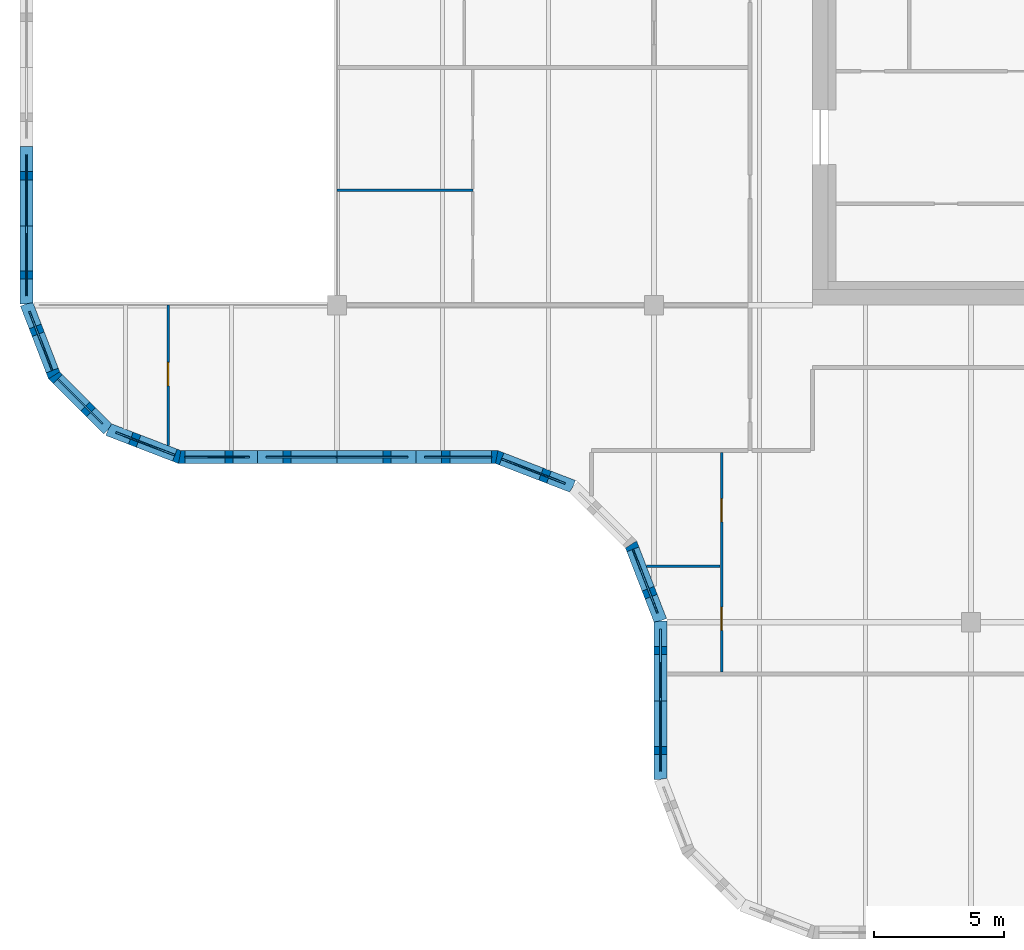
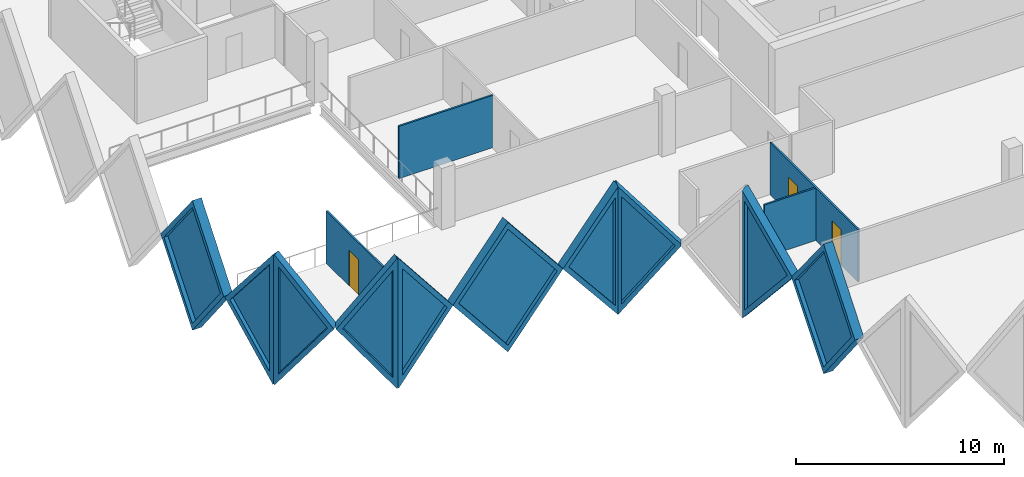
# One storey, part 3 of 12: 14 walls, 10 plates, 3 doors, 13 openings.
"""IFC4 building model written with IfcOpenShell, lengths in metres."""

from ifc_helpers import new_model, si_unit, direction, frame, frame_2d, origin, place, context, subcontext, project, spatial, polyline, rectangle, outline, extrude, faceted_brep, source, transform, mapped, material, layer, layer_set, type_object, element, fill, save


model = new_model("IFC4")

# Units and contexts
model_context = context("Model", 3, precision=1e-05, world=origin(), true_north=direction((0.0, 1.0)))
body_context = subcontext(model_context, "Body", "Model", "MODEL_VIEW")
ifc_project = project(units=[si_unit("LENGTHUNIT", "METRE"), si_unit("AREAUNIT", "SQUARE_METRE"), si_unit("VOLUMEUNIT", "CUBIC_METRE"), si_unit("PLANEANGLEUNIT", "RADIAN"), si_unit("MASSUNIT", "GRAM", prefix="KILO")], contexts=[model_context])

# Site, building, storey
site_placement = place(None, origin())
site = spatial("IfcSite", under=ifc_project, at=site_placement, CompositionType="ELEMENT")
building_placement = place(site_placement, origin())
building = spatial("IfcBuilding", under=site, at=building_placement, Name="Tessera Gate Towers", CompositionType="ELEMENT")
storey_placement = place(building_placement, frame((0.0, 0.0, 178.199951171875)))
storey = spatial("IfcBuildingStorey", under=building, at=storey_placement, Name="L44", CompositionType="ELEMENT", Elevation=178.199951171875)

# Wall, opening, door
ifc_material_1 = material(Name="Glass", Category="glass")
ifc_layer_1 = layer(ifc_material_1, 0.10009765625)
ifc_layer_set_1 = layer_set([ifc_layer_1], Name="GLAZED PARTITION 100")
wall_type_1 = type_object("IfcWallType", Name="GLAZED PARTITION 100", PredefinedType="PARTITIONING", material=ifc_layer_set_1)
wall_1_placement = place(storey_placement, frame((5.699951171875, 18.990234375, 0.0), z_axis=(0.0, 0.0, 1.0), x_axis=(0.0, 1.0, 0.0)))
wall_1 = element("IfcWall", 1, at=wall_1_placement, inside=storey, type_object=wall_type_1, Name="T1-L44-PW-019", PredefinedType="PARTITIONING", context=body_context, shape_type="SweptSolid", body=[
    extrude(rectangle(XDim=5.40966796875, YDim=0.10009765625, at=frame_2d((2.704833984375, 0.0))), origin(), (0.0, 0.0, 1.0), 3.067138671875),
])
shared_shape_1 = source(origin(), body_context, "Body", "SweptSolid", [
    extrude(rectangle(XDim=0.89990234375, YDim=2.10009765625, at=frame_2d((0.449951171875, 1.050048828125))), frame((0.0, 0.06005859375, 0.0), z_axis=(0.0, -1.0, 0.0), x_axis=(1.0, 0.0, 0.0)), (0.0, 0.0, 1.0), 0.1201171875),
])
opening_1_placement = place(wall_1_placement, frame((2.300048828125, 0.0, 0.0)))
opening_1 = element("IfcOpeningElement", 2, at=opening_1_placement, cuts=wall_1, Name="Opening D690-A16-03", PredefinedType="OPENING", context=body_context, shape_type="MappedRepresentation", body=[
    mapped(shared_shape_1, transform((0.0, 0.0, 0.0), scale=1.0)),
])
ifc_material_2 = material(Name="Glass in aluminium frame", Category="aluminium")
door_type_1 = type_object("IfcDoorType", Name="GLAZED DOOR 900 NOT RATED", OperationType="NOTDEFINED", PredefinedType="DOOR", material=ifc_material_2)
shared_shape_2 = source(origin(), body_context, "Body", "SweptSolid", [
    extrude(rectangle(XDim=0.89990234375, YDim=2.10009765625, at=frame_2d((0.449951171875, 1.050048828125))), frame((0.0, 0.02490234375, 0.0), z_axis=(0.0, -1.0, 0.0), x_axis=(1.0, 0.0, 0.0)), (0.0, 0.0, 1.0), 0.050048828125),
])
door_1_placement = place(opening_1_placement, origin())
door_1 = element("IfcDoor", 3, at=door_1_placement, inside=storey, type_object=door_type_1, Name="T1-L44-PD-015", OperationType="SINGLE_SWING_LEFT", OverallHeight=2.10009765625, OverallWidth=0.89990234375, PredefinedType="DOOR", context=body_context, shape_type="MappedRepresentation", body=[
    mapped(shared_shape_2, transform((0.0, 0.0, 0.0), scale=1.0)),
])
fill(opening_1, door_1)

# Wall, openings, doors
ifc_material_3 = material(Name="Gypsum board on steel studs", Category="steel")
ifc_layer_2 = layer(ifc_material_3, 0.10009765625)
ifc_layer_set_2 = layer_set([ifc_layer_2], Name="PARTITION 100")
wall_type_2 = type_object("IfcWallType", Name="PARTITION 100", PredefinedType="PARTITIONING", material=ifc_layer_set_2)
wall_2_placement = place(storey_placement, frame((27.0, 10.27587890625, 0.0), z_axis=(0.0, 0.0, 1.0), x_axis=(0.0, 1.0, 0.0)))
wall_2 = element("IfcWall", 4, at=wall_2_placement, inside=storey, type_object=wall_type_2, Name="T1-L44-PW-007", PredefinedType="PARTITIONING", context=body_context, shape_type="SweptSolid", body=[
    extrude(rectangle(XDim=8.4482421875, YDim=0.10009765625, at=frame_2d((4.22412109375, 0.0))), origin(), (0.0, 0.0, 1.0), 3.067138671875),
])
opening_2_placement = place(wall_2_placement, frame((1.60009765625, 0.0, 0.0)))
opening_2 = element("IfcOpeningElement", 5, at=opening_2_placement, cuts=wall_2, Name="Opening D190-A16-01", PredefinedType="OPENING", context=body_context, shape_type="MappedRepresentation", body=[
    mapped(shared_shape_1, transform((0.0, 0.0, 0.0), scale=1.0)),
])
opening_3_placement = place(wall_2_placement, frame((5.778564453125, 0.0, 0.0)))
opening_3 = element("IfcOpeningElement", 6, at=opening_3_placement, cuts=wall_2, Name="Opening D190-A16-04", PredefinedType="OPENING", context=body_context, shape_type="MappedRepresentation", body=[
    mapped(shared_shape_1, transform((0.0, 0.0, 0.0), scale=1.0)),
])
ifc_material_4 = material(Name="Timber door leaf in steel frame", Category="steel")
door_type_2 = type_object("IfcDoorType", Name="INTERNAL DOOR 900 NOT RATED", OperationType="NOTDEFINED", PredefinedType="DOOR", material=ifc_material_4)
door_2_placement = place(opening_2_placement, origin())
door_2 = element("IfcDoor", 7, at=door_2_placement, inside=storey, type_object=door_type_2, Name="T1-L44-PD-002", OperationType="SINGLE_SWING_LEFT", OverallHeight=2.10009765625, OverallWidth=0.89990234375, PredefinedType="DOOR", context=body_context, shape_type="MappedRepresentation", body=[
    mapped(shared_shape_2, transform((0.0, 0.0, 0.0), scale=1.0)),
])
fill(opening_2, door_2)
door_3_placement = place(opening_3_placement, origin())
door_3 = element("IfcDoor", 8, at=door_3_placement, inside=storey, type_object=door_type_2, Name="T1-L44-PD-005", OperationType="SINGLE_SWING_LEFT", OverallHeight=2.10009765625, OverallWidth=0.89990234375, PredefinedType="DOOR", context=body_context, shape_type="MappedRepresentation", body=[
    mapped(shared_shape_2, transform((0.0, 0.0, 0.0), scale=1.0)),
])
fill(opening_3, door_3)

# Walls
wall_3_placement = place(storey_placement, frame((24.104736328125, 14.35498046875, 0.0), z_axis=(0.0, 0.0, 1.0), x_axis=(1.0, 0.0, 0.0)))
element("IfcWall", 9, at=wall_3_placement, inside=storey, type_object=wall_type_2, Name="T1-L44-PW-010", PredefinedType="PARTITIONING", context=body_context, shape_type="SweptSolid", body=[
    extrude(rectangle(XDim=2.84423828125, YDim=0.10009765625, at=frame_2d((1.422119140625, 0.0))), origin(), (0.0, 0.0, 1.0), 3.067138671875),
])
wall_4_placement = place(storey_placement, frame((12.199951171875, 28.820068359375, 0.0), z_axis=(0.0, 0.0, 1.0), x_axis=(1.0, 0.0, 0.0)))
element("IfcWall", 10, at=wall_4_placement, inside=storey, type_object=wall_type_2, Name="T1-L44-PW-027", PredefinedType="PARTITIONING", context=body_context, shape_type="SweptSolid", body=[
    extrude(rectangle(XDim=5.22509765625, YDim=0.10009765625, at=frame_2d((2.612548828125, 0.0))), origin(), (0.0, 0.0, 1.0), 3.067138671875),
])

# Wall, opening, plate
ifc_material_5 = material(Name="Precast concrete C60/75 white", Category="concrete")
ifc_layer_3 = layer(ifc_material_5, 0.5)
ifc_layer_set_3 = layer_set([ifc_layer_3], Name="TS1 tessera")
wall_type_3 = type_object("IfcWallType", Name="TS1 tessera", PredefinedType="SOLIDWALL", material=ifc_layer_set_3)
shared_shape_3 = source(origin(), body_context, "Body", "SweptSolid", [
    extrude(outline(polyline([(3.050048828125, 0.0), (6.10009765625, 3.800048828125), (3.050048828125, 7.60009765625), (0.0, 3.800048828125), (3.050048828125, 0.0)])), frame((0.0, 0.25, 0.0), z_axis=(0.0, -1.0, 0.0), x_axis=(1.0, 0.0, 0.0)), (0.0, 0.0, 1.0), 0.5),
])
wall_5_placement = place(storey_placement, frame((9.14990234375, 18.550048828125, -3.800048828125), z_axis=(0.0, 0.0, 1.0), x_axis=(1.0, 0.0, 0.0)))
wall_5 = element("IfcWall", 11, at=wall_5_placement, inside=storey, type_object=wall_type_3, Name="Precast tessera T1 TS1-0780", PredefinedType="SOLIDWALL", context=body_context, shape_type="MappedRepresentation", body=[
    mapped(shared_shape_3, transform((0.0, 0.0, 0.0), scale=1.0)),
])
shared_shape_4 = source(origin(), body_context, "Body", "SweptSolid", [
    extrude(outline(polyline([(3.050048828125, 0.3994140625), (5.779541015625, 3.800048828125), (3.050048828125, 7.20068359375), (0.320556640625, 3.800048828125), (3.050048828125, 0.3994140625)])), frame((0.0, 0.260009765625, 0.0), z_axis=(0.0, -1.0, 0.0), x_axis=(1.0, 0.0, 0.0)), (0.0, 0.0, 1.0), 0.52001953125),
])
opening_4_placement = place(wall_5_placement, origin())
opening_4 = element("IfcOpeningElement", 12, at=opening_4_placement, cuts=wall_5, Name="Opening T1-PL2-1590", PredefinedType="OPENING", context=body_context, shape_type="MappedRepresentation", body=[
    mapped(shared_shape_4, transform((0.0, 0.0, 0.0), scale=1.0)),
])
ifc_material_6 = material(Name="Low-e laminated glass", Category="glass")
ifc_layer_4 = layer(ifc_material_6, 0.06005859375)
ifc_layer_set_4 = layer_set([ifc_layer_4], Name="PL2 rhombic pane")
plate_type = type_object("IfcPlateType", Name="PL2 rhombic pane", PredefinedType="SHEET", material=ifc_layer_set_4)
shared_shape_5 = source(origin(), body_context, "Body", "SweptSolid", [
    extrude(outline(polyline([(3.050048828125, 0.3994140625), (5.779541015625, 3.800048828125), (3.050048828125, 7.20068359375), (0.320556640625, 3.800048828125), (3.050048828125, 0.3994140625)])), frame((0.0, 0.030029296875, 0.0), z_axis=(0.0, -1.0, 0.0), x_axis=(1.0, 0.0, 0.0)), (0.0, 0.0, 1.0), 0.06005859375),
])
plate_1_placement = place(opening_4_placement, origin())
plate_1 = element("IfcPlate", 13, at=plate_1_placement, inside=storey, type_object=plate_type, Name="Glass pane T1 PL2-1590", PredefinedType="SHEET", context=body_context, shape_type="MappedRepresentation", body=[
    mapped(shared_shape_5, transform((0.0, 0.0, 0.0), scale=1.0)),
])
fill(opening_4, plate_1)

shared_shape_6 = source(origin(), body_context, "Body", "Brep", [
    faceted_brep([(3.050048828125, -0.25, 0.0), (6.053466796875, -0.25, 3.800048828125), (3.050048828125, -0.25, 7.60009765625), (0.0, -0.25, 3.800048828125), (0.0, 0.25, 3.800048828125), (3.050048828125, 0.25, 7.60009765625), (6.0068359375, 0.25, 3.85888671875), (6.0068359375, 0.25, 3.7412109375), (3.050048828125, 0.25, 0.0), (6.053466796875, 0.0, 3.800048828125)], [[[0, 1, 2, 3]], [[4, 5, 6, 7, 8]], [[8, 7, 9, 1, 0]], [[6, 5, 2, 1, 9]], [[5, 4, 3, 2]], [[4, 8, 0, 3]], [[9, 7, 6]]]),
])
wall_6_placement = place(storey_placement, frame((0.25, 30.5, -3.800048828125), z_axis=(0.0, 0.0, 1.0), x_axis=(0.0, -1.0, 0.0)))
wall_6 = element("IfcWall", 14, at=wall_6_placement, inside=storey, type_object=wall_type_3, Name="Precast tessera T1 TS1-0779", PredefinedType="SOLIDWALL", context=body_context, shape_type="MappedRepresentation", body=[
    mapped(shared_shape_6, transform((0.0, 0.0, 0.0), scale=1.0)),
])
shared_shape_7 = source(origin(), body_context, "Body", "SweptSolid", [
    extrude(outline(polyline([(3.048583984375, 0.4013671875), (5.73486328125, 3.800048828125), (3.048583984375, 7.19873046875), (0.320556640625, 3.800048828125), (3.048583984375, 0.4013671875)])), frame((0.0, 0.260009765625, 0.0), z_axis=(0.0, -1.0, 0.0), x_axis=(1.0, 0.0, 0.0)), (0.0, 0.0, 1.0), 0.52001953125),
])
opening_5_placement = place(wall_6_placement, origin())
opening_5 = element("IfcOpeningElement", 15, at=opening_5_placement, cuts=wall_6, Name="Opening T1-PL2-1585", PredefinedType="OPENING", context=body_context, shape_type="MappedRepresentation", body=[
    mapped(shared_shape_7, transform((0.0, 0.0, 0.0), scale=1.0)),
])
shared_shape_8 = source(origin(), body_context, "Body", "SweptSolid", [
    extrude(outline(polyline([(3.048583984375, 0.4013671875), (5.73486328125, 3.800048828125), (3.048583984375, 7.19873046875), (0.320556640625, 3.800048828125), (3.048583984375, 0.4013671875)])), frame((0.0, 0.030029296875, 0.0), z_axis=(0.0, -1.0, 0.0), x_axis=(1.0, 0.0, 0.0)), (0.0, 0.0, 1.0), 0.06005859375),
])
plate_2_placement = place(opening_5_placement, origin())
plate_2 = element("IfcPlate", 16, at=plate_2_placement, inside=storey, type_object=plate_type, Name="Glass pane T1 PL2-1585", PredefinedType="SHEET", context=body_context, shape_type="MappedRepresentation", body=[
    mapped(shared_shape_8, transform((0.0, 0.0, 0.0), scale=1.0)),
])
fill(opening_5, plate_2)

ifc_material_7 = material(Name="Precast concrete C60/75 white", Category="concrete")
ifc_layer_5 = layer(ifc_material_7, 0.5)
ifc_layer_set_5 = layer_set([ifc_layer_5], Name="TS3 corner tessera")
wall_type_4 = type_object("IfcWallType", Name="TS3 corner tessera", PredefinedType="SOLIDWALL", material=ifc_layer_set_5)
shared_shape_9 = source(origin(), body_context, "Body", "Brep", [
    faceted_brep([(0.052978515625, -0.25, 0.0), (2.9970703125, -0.25, 3.800048828125), (0.052978515625, -0.25, 7.60009765625), (0.0, -0.25, 7.531982421875), (0.0, -0.25, 0.068115234375), (0.10595703125, 0.25, 7.53173828125), (2.944091796875, 0.25, 3.8681640625), (2.944091796875, 0.25, 3.73193359375), (0.10595703125, 0.25, 0.068359375), (2.9970703125, 0.000244140625, 3.800048828125), (0.052978515625, 0.0, 0.0), (0.052978515625, 0.0, 7.60009765625)], [[[0, 1, 2, 3, 4]], [[5, 6, 7, 8]], [[8, 7, 9, 1, 0, 10]], [[6, 5, 11, 2, 1, 9]], [[3, 2, 11]], [[10, 0, 4]], [[8, 10, 4, 3, 11, 5]], [[9, 7, 6]]]),
])
wall_7_placement = place(storey_placement, frame((1.2744140625, 21.731201171875, -3.800048828125), z_axis=(0.0, 0.0, 1.0), x_axis=(0.707147509625, -0.707066050402, 0.0)))
wall_7 = element("IfcWall", 17, at=wall_7_placement, inside=storey, type_object=wall_type_4, Name="Precast corner tessera T1 TS3-1024", PredefinedType="SOLIDWALL", context=body_context, shape_type="MappedRepresentation", body=[
    mapped(shared_shape_9, transform((0.0, 0.0, 0.0), scale=1.0)),
])
shared_shape_10 = source(origin(), body_context, "Body", "SweptSolid", [
    extrude(outline(polyline([(0.2529296875, 0.66650390625), (2.680908203125, 3.800048828125), (0.2529296875, 6.933837890625), (0.2529296875, 0.66650390625)])), frame((0.0, 0.260009765625, 0.0), z_axis=(0.0, -1.0, 0.0), x_axis=(1.0, 0.0, 0.0)), (0.0, 0.0, 1.0), 0.52001953125),
])
opening_6_placement = place(wall_7_placement, origin())
opening_6 = element("IfcOpeningElement", 18, at=opening_6_placement, cuts=wall_7, Name="Opening T1-PL2-1587", PredefinedType="OPENING", context=body_context, shape_type="MappedRepresentation", body=[
    mapped(shared_shape_10, transform((0.0, 0.0, 0.0), scale=1.0)),
])
shared_shape_11 = source(origin(), body_context, "Body", "SweptSolid", [
    extrude(outline(polyline([(0.2529296875, 0.66650390625), (2.680908203125, 3.800048828125), (0.2529296875, 6.933837890625), (0.2529296875, 0.66650390625)])), frame((0.0, 0.030029296875, 0.0), z_axis=(0.0, -1.0, 0.0), x_axis=(1.0, 0.0, 0.0)), (0.0, 0.0, 1.0), 0.06005859375),
])
plate_3_placement = place(opening_6_placement, origin())
plate_3 = element("IfcPlate", 19, at=plate_3_placement, inside=storey, type_object=plate_type, Name="Glass pane T1 PL2-1587", PredefinedType="SHEET", context=body_context, shape_type="MappedRepresentation", body=[
    mapped(shared_shape_11, transform((0.0, 0.0, 0.0), scale=1.0)),
])
fill(opening_6, plate_3)

shared_shape_12 = source(origin(), body_context, "Body", "Brep", [
    faceted_brep([(2.950439453125, -0.25, 0.0), (2.9970703125, -0.25, 0.05908203125), (2.9970703125, -0.25, 7.541015625), (2.950439453125, -0.25, 7.60009765625), (0.0, -0.25, 3.800048828125), (0.052978515625, 0.25, 3.8681640625), (2.904052734375, 0.25, 7.540283203125), (2.904052734375, 0.25, 0.059814453125), (0.052978515625, 0.25, 3.73193359375), (2.950439453125, 0.00048828125, 0.0), (2.950439453125, 0.00048828125, 7.60009765625), (0.0, 0.0, 3.800048828125)], [[[0, 1, 2, 3, 4]], [[5, 6, 7, 8]], [[1, 0, 9]], [[10, 3, 2]], [[6, 5, 11, 4, 3, 10]], [[8, 7, 9, 0, 4, 11]], [[8, 11, 5]], [[1, 9, 7, 6, 10, 2]]]),
])
wall_8_placement = place(storey_placement, frame((3.393798828125, 19.61181640625, -3.800048828125), z_axis=(0.0, 0.0, 1.0), x_axis=(0.932990326376, -0.359901446078, 0.0)))
wall_8 = element("IfcWall", 20, at=wall_8_placement, inside=storey, type_object=wall_type_4, Name="Precast corner tessera T1 TS3-1025", PredefinedType="SOLIDWALL", context=body_context, shape_type="MappedRepresentation", body=[
    mapped(shared_shape_12, transform((0.0, 0.0, 0.0), scale=1.0)),
])
shared_shape_13 = source(origin(), body_context, "Body", "SweptSolid", [
    extrude(outline(polyline([(2.75048828125, 6.934814453125), (0.31640625, 3.800048828125), (2.75048828125, 0.665283203125), (2.75048828125, 6.934814453125)])), frame((0.0, 0.260009765625, 0.0), z_axis=(0.0, -1.0, 0.0), x_axis=(1.0, 0.0, 0.0)), (0.0, 0.0, 1.0), 0.52001953125),
])
opening_7_placement = place(wall_8_placement, origin())
opening_7 = element("IfcOpeningElement", 21, at=opening_7_placement, cuts=wall_8, Name="Opening T1-PL2-1588", PredefinedType="OPENING", context=body_context, shape_type="MappedRepresentation", body=[
    mapped(shared_shape_13, transform((0.0, 0.0, 0.0), scale=1.0)),
])
shared_shape_14 = source(origin(), body_context, "Body", "SweptSolid", [
    extrude(outline(polyline([(2.75048828125, 6.934814453125), (0.31640625, 3.800048828125), (2.75048828125, 0.665283203125), (2.75048828125, 6.934814453125)])), frame((0.0, 0.030029296875, 0.0), z_axis=(0.0, -1.0, 0.0), x_axis=(1.0, 0.0, 0.0)), (0.0, 0.0, 1.0), 0.06005859375),
])
plate_4_placement = place(opening_7_placement, origin())
plate_4 = element("IfcPlate", 22, at=plate_4_placement, inside=storey, type_object=plate_type, Name="Glass pane T1 PL2-1588", PredefinedType="SHEET", context=body_context, shape_type="MappedRepresentation", body=[
    mapped(shared_shape_14, transform((0.0, 0.0, 0.0), scale=1.0)),
])
fill(opening_7, plate_4)

shared_shape_15 = source(origin(), body_context, "Body", "Brep", [
    faceted_brep([(0.046630859375, -0.25, 0.0), (3.050048828125, -0.25, 3.800048828125), (0.046630859375, -0.25, 7.60009765625), (0.0, -0.25, 7.5400390625), (0.0, -0.25, 0.06005859375), (0.09326171875, 0.25, 7.541259765625), (3.050048828125, 0.25, 3.800048828125), (0.09326171875, 0.25, 0.058837890625), (0.046630859375, 0.0, 0.0), (0.046630859375, 0.0, 7.60009765625)], [[[0, 1, 2, 3, 4]], [[5, 6, 7]], [[7, 6, 1, 0, 8]], [[6, 5, 9, 2, 1]], [[3, 2, 9]], [[8, 0, 4]], [[7, 8, 4, 3, 9, 5]]]),
])
wall_9_placement = place(storey_placement, frame((6.099853515625, 18.550048828125, -3.800048828125), z_axis=(0.0, 0.0, 1.0), x_axis=(1.0, 0.0, 0.0)))
wall_9 = element("IfcWall", 23, at=wall_9_placement, inside=storey, type_object=wall_type_4, Name="Precast corner tessera T1 TS3-1026", PredefinedType="SOLIDWALL", context=body_context, shape_type="MappedRepresentation", body=[
    mapped(shared_shape_15, transform((0.0, 0.0, 0.0), scale=1.0)),
])
shared_shape_16 = source(origin(), body_context, "Body", "SweptSolid", [
    extrude(outline(polyline([(0.24658203125, 0.65625), (2.7314453125, 3.800048828125), (0.24658203125, 6.94384765625), (0.24658203125, 0.65625)])), frame((0.0, 0.260009765625, 0.0), z_axis=(0.0, -1.0, 0.0), x_axis=(1.0, 0.0, 0.0)), (0.0, 0.0, 1.0), 0.52001953125),
])
opening_8_placement = place(wall_9_placement, origin())
opening_8 = element("IfcOpeningElement", 24, at=opening_8_placement, cuts=wall_9, Name="Opening T1-PL2-1589", PredefinedType="OPENING", context=body_context, shape_type="MappedRepresentation", body=[
    mapped(shared_shape_16, transform((0.0, 0.0, 0.0), scale=1.0)),
])
shared_shape_17 = source(origin(), body_context, "Body", "SweptSolid", [
    extrude(outline(polyline([(0.24658203125, 0.65625), (2.7314453125, 3.800048828125), (0.24658203125, 6.94384765625), (0.24658203125, 0.65625)])), frame((0.0, 0.030029296875, 0.0), z_axis=(0.0, -1.0, 0.0), x_axis=(1.0, 0.0, 0.0)), (0.0, 0.0, 1.0), 0.06005859375),
])
plate_5_placement = place(opening_8_placement, origin())
plate_5 = element("IfcPlate", 25, at=plate_5_placement, inside=storey, type_object=plate_type, Name="Glass pane T1 PL2-1589", PredefinedType="SHEET", context=body_context, shape_type="MappedRepresentation", body=[
    mapped(shared_shape_17, transform((0.0, 0.0, 0.0), scale=1.0)),
])
fill(opening_8, plate_5)

shared_shape_18 = source(origin(), body_context, "Body", "Brep", [
    faceted_brep([(2.950439453125, -0.25, 0.0), (3.00341796875, -0.25, 0.068359375), (3.00341796875, -0.25, 7.53173828125), (2.950439453125, -0.25, 7.60009765625), (0.0, -0.25, 3.800048828125), (0.046630859375, 0.25, 3.860107421875), (2.897705078125, 0.25, 7.531982421875), (2.897705078125, 0.25, 0.068115234375), (0.046630859375, 0.25, 3.739990234375), (2.950439453125, 0.00048828125, 0.0), (2.950439453125, 0.00048828125, 7.60009765625), (0.0, 0.0, 3.800048828125)], [[[0, 1, 2, 3, 4]], [[5, 6, 7, 8]], [[1, 0, 9]], [[10, 3, 2]], [[6, 5, 11, 4, 3, 10]], [[8, 7, 9, 0, 4, 11]], [[8, 11, 5]], [[1, 9, 7, 6, 10, 2]]]),
])
wall_10_placement = place(storey_placement, frame((0.25, 24.446533203125, -3.800048828125), z_axis=(0.0, 0.0, 1.0), x_axis=(0.35992665181, -0.932980602862, 0.0)))
wall_10 = element("IfcWall", 26, at=wall_10_placement, inside=storey, type_object=wall_type_4, Name="Precast corner tessera T1 TS3-1023", PredefinedType="SOLIDWALL", context=body_context, shape_type="MappedRepresentation", body=[
    mapped(shared_shape_18, transform((0.0, 0.0, 0.0), scale=1.0)),
])
opening_9_placement = place(wall_10_placement, origin())
opening_9 = element("IfcOpeningElement", 27, at=opening_9_placement, cuts=wall_10, Name="Opening T1-PL2-1586", PredefinedType="OPENING", context=body_context, shape_type="MappedRepresentation", body=[
    mapped(shared_shape_13, transform((0.0, 0.0, 0.0), scale=1.0)),
])
plate_6_placement = place(opening_9_placement, origin())
plate_6 = element("IfcPlate", 28, at=plate_6_placement, inside=storey, type_object=plate_type, Name="Glass pane T1 PL2-1586", PredefinedType="SHEET", context=body_context, shape_type="MappedRepresentation", body=[
    mapped(shared_shape_14, transform((0.0, 0.0, 0.0), scale=1.0)),
])
fill(opening_9, plate_6)

shared_shape_19 = source(origin(), body_context, "Body", "Brep", [
    faceted_brep([(3.050048828125, -0.25, 7.543212890625), (0.0, -0.25, 3.800048828125), (3.050048828125, -0.25, 0.056884765625), (0.0, 0.25, 3.800048828125), (3.096435546875, 0.25, 7.60009765625), (3.14306640625, 0.25, 7.543701171875), (3.14306640625, 0.25, 0.056396484375), (3.096435546875, 0.25, 0.0), (3.096435546875, -0.00048828125, 0.0), (3.096435546875, -0.00048828125, 7.60009765625)], [[[0, 1, 2]], [[3, 4, 5, 6, 7]], [[7, 6, 8]], [[5, 4, 9]], [[4, 3, 1, 0, 9]], [[3, 7, 8, 2, 1]], [[2, 8, 6, 5, 9, 0]]]),
])
wall_11_placement = place(storey_placement, frame((15.25, 18.550048828125, -3.800048828125), z_axis=(0.0, 0.0, 1.0), x_axis=(1.0, 0.0, 0.0)))
wall_11 = element("IfcWall", 29, at=wall_11_placement, inside=storey, type_object=wall_type_4, Name="Precast corner tessera T1 TS3-1027", PredefinedType="SOLIDWALL", context=body_context, shape_type="MappedRepresentation", body=[
    mapped(shared_shape_19, transform((0.0, 0.0, 0.0), scale=1.0)),
])
shared_shape_20 = source(origin(), body_context, "Body", "SweptSolid", [
    extrude(outline(polyline([(2.896484375, 6.958984375), (0.322509765625, 3.800048828125), (2.896484375, 0.641357421875), (2.896484375, 6.958984375)])), frame((0.0, 0.260009765625, 0.0), z_axis=(0.0, -1.0, 0.0), x_axis=(1.0, 0.0, 0.0)), (0.0, 0.0, 1.0), 0.52001953125),
])
opening_10_placement = place(wall_11_placement, origin())
opening_10 = element("IfcOpeningElement", 30, at=opening_10_placement, cuts=wall_11, Name="Opening T1-PL2-1591", PredefinedType="OPENING", context=body_context, shape_type="MappedRepresentation", body=[
    mapped(shared_shape_20, transform((0.0, 0.0, 0.0), scale=1.0)),
])
shared_shape_21 = source(origin(), body_context, "Body", "SweptSolid", [
    extrude(outline(polyline([(2.896484375, 6.958984375), (0.322509765625, 3.800048828125), (2.896484375, 0.641357421875), (2.896484375, 6.958984375)])), frame((0.0, 0.030029296875, 0.0), z_axis=(0.0, -1.0, 0.0), x_axis=(1.0, 0.0, 0.0)), (0.0, 0.0, 1.0), 0.06005859375),
])
plate_7_placement = place(opening_10_placement, origin())
plate_7 = element("IfcPlate", 31, at=plate_7_placement, inside=storey, type_object=plate_type, Name="Glass pane T1 PL2-1591", PredefinedType="SHEET", context=body_context, shape_type="MappedRepresentation", body=[
    mapped(shared_shape_21, transform((0.0, 0.0, 0.0), scale=1.0)),
])
fill(opening_10, plate_7)

shared_shape_22 = source(origin(), body_context, "Body", "Brep", [
    faceted_brep([(0.09326171875, -0.25, 0.05615234375), (3.14306640625, -0.25, 3.736328125), (3.14306640625, -0.25, 3.86376953125), (0.09326171875, -0.25, 7.5439453125), (0.0, 0.25, 7.54296875), (0.046630859375, 0.25, 7.60009765625), (3.196044921875, 0.25, 3.800048828125), (0.046630859375, 0.25, 0.0), (0.0, 0.25, 0.05712890625), (3.196044921875, -0.000244140625, 3.800048828125), (0.046630859375, 0.0, 0.0), (0.046630859375, 0.0, 7.60009765625)], [[[0, 1, 2, 3]], [[4, 5, 6, 7, 8]], [[7, 6, 9, 1, 0, 10]], [[6, 5, 11, 3, 2, 9]], [[5, 4, 11]], [[8, 7, 10]], [[8, 10, 0, 3, 11, 4]], [[1, 9, 2]]]),
])
wall_12_placement = place(storey_placement, frame((18.302978515625, 18.56689453125, -3.800048828125), z_axis=(0.0, 0.0, 1.0), x_axis=(0.932978940178, -0.359930961693, 0.0)))
wall_12 = element("IfcWall", 32, at=wall_12_placement, inside=storey, type_object=wall_type_4, Name="Precast corner tessera T1 TS3-1028", PredefinedType="SOLIDWALL", context=body_context, shape_type="MappedRepresentation", body=[
    mapped(shared_shape_22, transform((0.0, 0.0, 0.0), scale=1.0)),
])
shared_shape_23 = source(origin(), body_context, "Body", "SweptSolid", [
    extrude(outline(polyline([(0.24658203125, 0.63330078125), (2.871337890625, 3.800048828125), (0.24658203125, 6.967041015625), (0.24658203125, 0.63330078125)])), frame((0.0, 0.260009765625, 0.0), z_axis=(0.0, -1.0, 0.0), x_axis=(1.0, 0.0, 0.0)), (0.0, 0.0, 1.0), 0.52001953125),
])
opening_11_placement = place(wall_12_placement, origin())
opening_11 = element("IfcOpeningElement", 33, at=opening_11_placement, cuts=wall_12, Name="Opening T1-PL2-1592", PredefinedType="OPENING", context=body_context, shape_type="MappedRepresentation", body=[
    mapped(shared_shape_23, transform((0.0, 0.0, 0.0), scale=1.0)),
])
shared_shape_24 = source(origin(), body_context, "Body", "SweptSolid", [
    extrude(outline(polyline([(0.24658203125, 0.63330078125), (2.871337890625, 3.800048828125), (0.24658203125, 6.967041015625), (0.24658203125, 0.63330078125)])), frame((0.0, 0.030029296875, 0.0), z_axis=(0.0, -1.0, 0.0), x_axis=(1.0, 0.0, 0.0)), (0.0, 0.0, 1.0), 0.06005859375),
])
plate_8_placement = place(opening_11_placement, origin())
plate_8 = element("IfcPlate", 34, at=plate_8_placement, inside=storey, type_object=plate_type, Name="Glass pane T1 PL2-1592", PredefinedType="SHEET", context=body_context, shape_type="MappedRepresentation", body=[
    mapped(shared_shape_24, transform((0.0, 0.0, 0.0), scale=1.0)),
])
fill(opening_11, plate_8)

shared_shape_25 = source(origin(), body_context, "Body", "Brep", [
    faceted_brep([(0.10595703125, -0.25, 0.06396484375), (3.156005859375, -0.25, 3.743896484375), (3.156005859375, -0.25, 3.856201171875), (0.10595703125, -0.25, 7.5361328125), (0.0, 0.25, 7.536376953125), (0.052978515625, 0.25, 7.60009765625), (3.202392578125, 0.25, 3.800048828125), (0.052978515625, 0.25, 0.0), (0.0, 0.25, 0.063720703125), (3.202392578125, -0.000244140625, 3.800048828125), (0.052978515625, 0.0, 0.0), (0.052978515625, 0.0, 7.60009765625)], [[[0, 1, 2, 3]], [[4, 5, 6, 7, 8]], [[7, 6, 9, 1, 0, 10]], [[6, 5, 11, 3, 2, 9]], [[5, 4, 11]], [[8, 7, 10]], [[8, 10, 0, 3, 11, 4]], [[1, 9, 2]]]),
])
wall_13_placement = place(storey_placement, frame((23.497314453125, 15.234375, -3.800048828125), z_axis=(0.0, 0.0, 1.0), x_axis=(0.359913782069, -0.932985567668, 0.0)))
wall_13 = element("IfcWall", 35, at=wall_13_placement, inside=storey, type_object=wall_type_4, Name="Precast corner tessera T1 TS3-1030", PredefinedType="SOLIDWALL", context=body_context, shape_type="MappedRepresentation", body=[
    mapped(shared_shape_25, transform((0.0, 0.0, 0.0), scale=1.0)),
])
shared_shape_26 = source(origin(), body_context, "Body", "SweptSolid", [
    extrude(outline(polyline([(0.2529296875, 0.63330078125), (2.877685546875, 3.800048828125), (0.2529296875, 6.967041015625), (0.2529296875, 0.63330078125)])), frame((0.0, 0.260009765625, 0.0), z_axis=(0.0, -1.0, 0.0), x_axis=(1.0, 0.0, 0.0)), (0.0, 0.0, 1.0), 0.52001953125),
])
opening_12_placement = place(wall_13_placement, origin())
opening_12 = element("IfcOpeningElement", 36, at=opening_12_placement, cuts=wall_13, Name="Opening T1-PL2-1594", PredefinedType="OPENING", context=body_context, shape_type="MappedRepresentation", body=[
    mapped(shared_shape_26, transform((0.0, 0.0, 0.0), scale=1.0)),
])
shared_shape_27 = source(origin(), body_context, "Body", "SweptSolid", [
    extrude(outline(polyline([(0.2529296875, 0.63330078125), (2.877685546875, 3.800048828125), (0.2529296875, 6.967041015625), (0.2529296875, 0.63330078125)])), frame((0.0, 0.030029296875, 0.0), z_axis=(0.0, -1.0, 0.0), x_axis=(1.0, 0.0, 0.0)), (0.0, 0.0, 1.0), 0.06005859375),
])
plate_9_placement = place(opening_12_placement, origin())
plate_9 = element("IfcPlate", 37, at=plate_9_placement, inside=storey, type_object=plate_type, Name="Glass pane T1 PL2-1594", PredefinedType="SHEET", context=body_context, shape_type="MappedRepresentation", body=[
    mapped(shared_shape_27, transform((0.0, 0.0, 0.0), scale=1.0)),
])
fill(opening_12, plate_9)

shared_shape_28 = source(origin(), body_context, "Body", "Brep", [
    faceted_brep([(3.096435546875, -0.25, 0.0), (6.10009765625, -0.25, 3.800048828125), (3.096435546875, -0.25, 7.60009765625), (0.046630859375, -0.25, 3.857177734375), (0.046630859375, -0.25, 3.742919921875), (0.0, 0.25, 3.800048828125), (3.096435546875, 0.25, 7.60009765625), (6.053466796875, 0.25, 3.859130859375), (6.053466796875, 0.25, 3.740966796875), (3.096435546875, 0.25, 0.0), (6.10009765625, -0.00048828125, 3.800048828125), (0.0, 0.0, 3.800048828125)], [[[0, 1, 2, 3, 4]], [[5, 6, 7, 8, 9]], [[9, 8, 10, 1, 0]], [[7, 6, 2, 1, 10]], [[6, 5, 11, 3, 2]], [[5, 9, 0, 4, 11]], [[11, 4, 3]], [[10, 8, 7]]]),
])
wall_14_placement = place(storey_placement, frame((24.64990234375, 12.24658203125, -3.800048828125), z_axis=(0.0, 0.0, 1.0), x_axis=(0.0, -1.0, 0.0)))
wall_14 = element("IfcWall", 38, at=wall_14_placement, inside=storey, type_object=wall_type_3, Name="Precast tessera T1 TS1-0781", PredefinedType="SOLIDWALL", context=body_context, shape_type="MappedRepresentation", body=[
    mapped(shared_shape_28, transform((0.0, 0.0, 0.0), scale=1.0)),
])
shared_shape_29 = source(origin(), body_context, "Body", "SweptSolid", [
    extrude(outline(polyline([(3.093505859375, 0.3994140625), (5.78125, 3.800048828125), (3.093505859375, 7.20068359375), (0.322509765625, 3.800048828125), (3.093505859375, 0.3994140625)])), frame((0.0, 0.260009765625, 0.0), z_axis=(0.0, -1.0, 0.0), x_axis=(1.0, 0.0, 0.0)), (0.0, 0.0, 1.0), 0.52001953125),
])
opening_13_placement = place(wall_14_placement, origin())
opening_13 = element("IfcOpeningElement", 39, at=opening_13_placement, cuts=wall_14, Name="Opening T1-PL2-1595", PredefinedType="OPENING", context=body_context, shape_type="MappedRepresentation", body=[
    mapped(shared_shape_29, transform((0.0, 0.0, 0.0), scale=1.0)),
])
shared_shape_30 = source(origin(), body_context, "Body", "SweptSolid", [
    extrude(outline(polyline([(3.093505859375, 0.3994140625), (5.78125, 3.800048828125), (3.093505859375, 7.20068359375), (0.322509765625, 3.800048828125), (3.093505859375, 0.3994140625)])), frame((0.0, 0.030029296875, 0.0), z_axis=(0.0, -1.0, 0.0), x_axis=(1.0, 0.0, 0.0)), (0.0, 0.0, 1.0), 0.06005859375),
])
plate_10_placement = place(opening_13_placement, origin())
plate_10 = element("IfcPlate", 40, at=plate_10_placement, inside=storey, type_object=plate_type, Name="Glass pane T1 PL2-1595", PredefinedType="SHEET", context=body_context, shape_type="MappedRepresentation", body=[
    mapped(shared_shape_30, transform((0.0, 0.0, 0.0), scale=1.0)),
])
fill(opening_13, plate_10)

save(model, "model.ifc")
